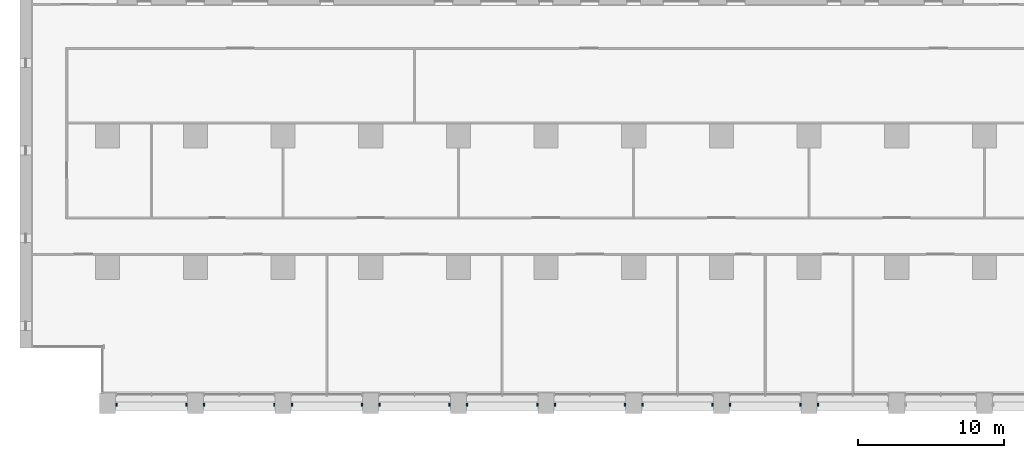
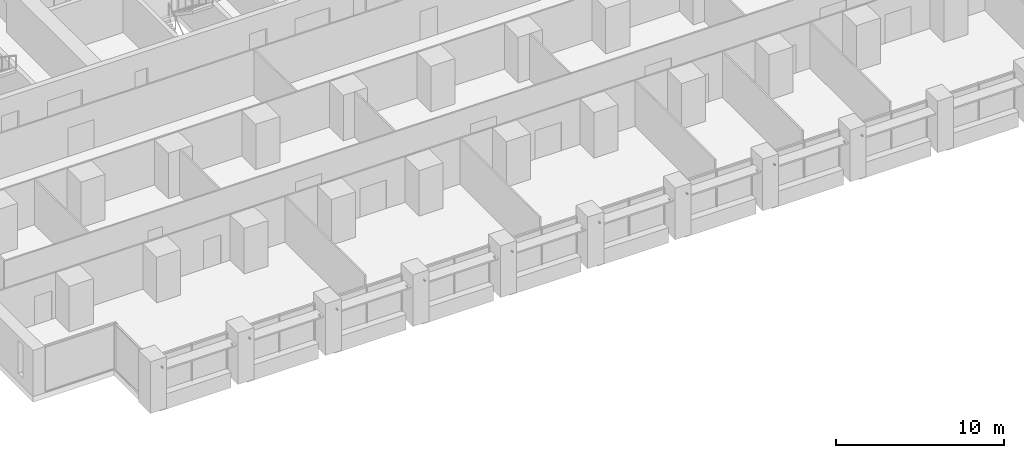
# One storey, part 15 of 18: 17 discrete accessories.
"""IFC4 building model written with IfcOpenShell, lengths in metres."""

from ifc_helpers import new_model, si_unit, direction, frame, origin, origin_2d, place, context, subcontext, project, spatial, rectangle, extrude, element, save


model = new_model("IFC4")

# Units and contexts
model_context = context("Model", 3, precision=1e-05, world=origin(), true_north=direction((0.0, 1.0)))
body_context = subcontext(model_context, "Body", "Model", "MODEL_VIEW")
ifc_project = project(units=[si_unit("LENGTHUNIT", "METRE"), si_unit("AREAUNIT", "SQUARE_METRE"), si_unit("VOLUMEUNIT", "CUBIC_METRE"), si_unit("PLANEANGLEUNIT", "RADIAN"), si_unit("MASSUNIT", "GRAM", prefix="KILO")], contexts=[model_context])

# Site, building, storey
site_placement = place(None, origin())
site = spatial("IfcSite", under=ifc_project, at=site_placement, CompositionType="ELEMENT")
building_placement = place(site_placement, origin())
building = spatial("IfcBuilding", under=site, at=building_placement, Name="Calvaro Tower", CompositionType="ELEMENT")
storey_placement = place(building_placement, frame((0.0, 0.0, 60.0)))
storey = spatial("IfcBuildingStorey", under=building, at=storey_placement, Name="L14", CompositionType="ELEMENT", Elevation=60.0)

# Discrete accessories
for number, where, z_axis, x_axis, name in (
    (1, (6.60009765625, 0.60009765625, 2.14990234375), (0.0, 0.0, 1.0), (1.0, 0.0, 0.0), "Brise-soleil bracket"),
    (2, (11.39990234375, 0.60009765625, 2.14990234375), (0.0, 0.0, 1.0), (1.0, 0.0, 0.0), "Brise-soleil bracket"),
    (3, (12.60009765625, 0.60009765625, 2.14990234375), (0.0, 0.0, 1.0), (1.0, 0.0, 0.0), "Brise-soleil bracket"),
    (4, (17.39990234375, 0.60009765625, 2.14990234375), (0.0, 0.0, 1.0), (1.0, 0.0, 0.0), "Brise-soleil bracket"),
    (5, (18.60009765625, 0.60009765625, 2.14990234375), (0.0, 0.0, 1.0), (1.0, 0.0, 0.0), "Brise-soleil bracket"),
    (6, (23.39990234375, 0.60009765625, 2.14990234375), (0.0, 0.0, 1.0), (1.0, 0.0, 0.0), "Brise-soleil bracket"),
    (7, (24.60009765625, 0.60009765625, 2.14990234375), (0.0, 0.0, 1.0), (1.0, 0.0, 0.0), "Brise-soleil bracket"),
    (8, (29.39990234375, 0.60009765625, 2.14990234375), (0.0, 0.0, 1.0), (1.0, 0.0, 0.0), "Brise-soleil bracket"),
    (9, (30.60009765625, 0.60009765625, 2.14990234375), (0.0, 0.0, 1.0), (1.0, 0.0, 0.0), "Brise-soleil bracket"),
    (10, (35.39990234375, 0.60009765625, 2.14990234375), (0.0, 0.0, 1.0), (1.0, 0.0, 0.0), "Brise-soleil bracket"),
    (11, (36.60009765625, 0.60009765625, 2.14990234375), (0.0, 0.0, 1.0), (1.0, 0.0, 0.0), "Brise-soleil bracket"),
    (12, (41.39990234375, 0.60009765625, 2.14990234375), (0.0, 0.0, 1.0), (1.0, 0.0, 0.0), "Brise-soleil bracket"),
    (13, (42.60009765625, 0.60009765625, 2.14990234375), (0.0, 0.0, 1.0), (1.0, 0.0, 0.0), "Brise-soleil bracket"),
    (14, (47.39990234375, 0.60009765625, 2.14990234375), (0.0, 0.0, 1.0), (1.0, 0.0, 0.0), "Brise-soleil bracket"),
    (15, (48.60009765625, 0.60009765625, 2.14990234375), (0.0, 0.0, 1.0), (1.0, 0.0, 0.0), "Brise-soleil bracket"),
    (16, (53.39990234375, 0.60009765625, 2.14990234375), (0.0, 0.0, 1.0), (1.0, 0.0, 0.0), "Brise-soleil bracket"),
    (17, (54.60009765625, 0.60009765625, 2.14990234375), (0.0, 0.0, 1.0), (1.0, 0.0, 0.0), "Brise-soleil bracket"),
):
    element("IfcDiscreteAccessory", number, at=place(storey_placement, frame(where, z_axis=z_axis, x_axis=x_axis)), inside=storey, Name=name, PredefinedType="BRACKET", context=body_context, shape_type="SweptSolid", body=[
        extrude(rectangle(XDim=0.10009765625, YDim=0.199951171875, at=origin_2d()), origin(), (0.0, 0.0, 1.0), 0.10009765625),
    ])

save(model, "model.ifc")
